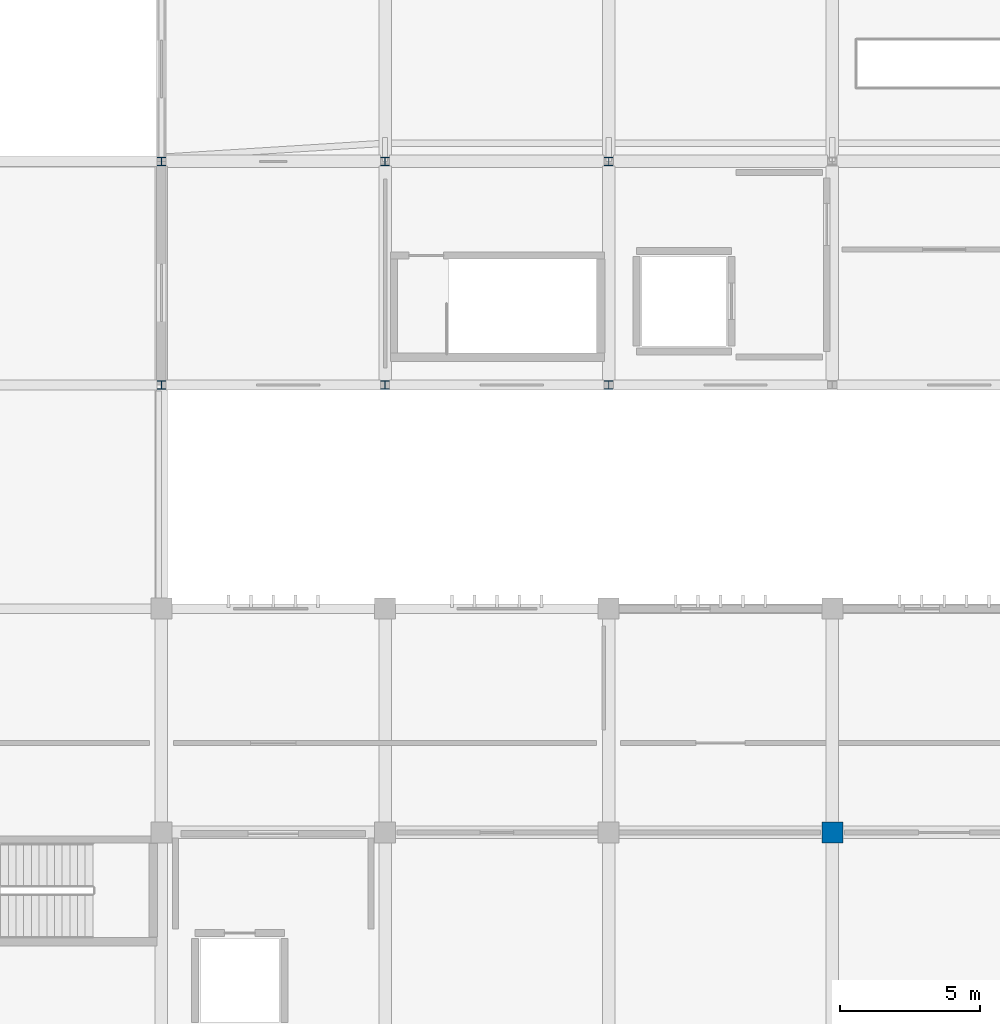
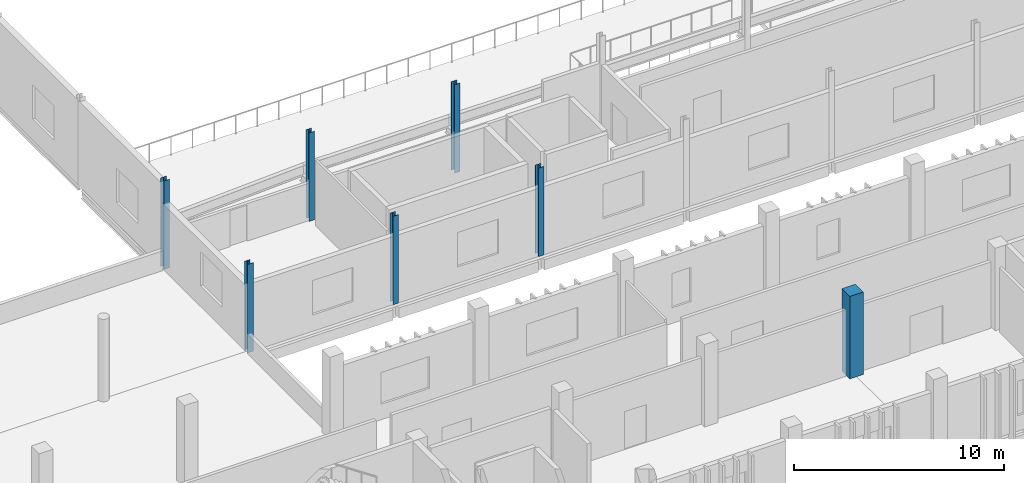
# One storey, part 7 of 106: 7 columns.
"""IFC4 building model written with IfcOpenShell, lengths in metres."""

from ifc_helpers import new_model, si_unit, direction, frame, origin, origin_2d, place, context, subcontext, project, spatial, rectangle, i_section, extrude, material, material_profile, profile_set, type_object, element, save


model = new_model("IFC4")

# Units and contexts
model_context = context("Model", 3, precision=1e-05, world=origin(), true_north=direction((0.0, 1.0)))
body_context = subcontext(model_context, "Body", "Model", "MODEL_VIEW")
ifc_project = project(units=[si_unit("LENGTHUNIT", "METRE"), si_unit("AREAUNIT", "SQUARE_METRE"), si_unit("VOLUMEUNIT", "CUBIC_METRE"), si_unit("PLANEANGLEUNIT", "RADIAN"), si_unit("MASSUNIT", "GRAM", prefix="KILO")], contexts=[model_context])

# Site, building, storey
site_placement = place(None, origin())
site = spatial("IfcSite", under=ifc_project, at=site_placement, CompositionType="ELEMENT")
building_placement = place(site_placement, origin())
building = spatial("IfcBuilding", under=site, at=building_placement, Name="Jelvoka-Kovrelna Polytechnic", CompositionType="ELEMENT")
storey_placement = place(building_placement, frame((0.0, 0.0, 4.800048828125)))
storey = spatial("IfcBuildingStorey", under=building, at=storey_placement, Name="L02", CompositionType="ELEMENT", Elevation=4.800048828125)

# Columns
ifc_material_1 = material(Name="Concrete C40/50", Category="concrete")
ifc_material_profile_1 = material_profile(ifc_material_1, rectangle(XDim=0.75, YDim=0.75, at=origin_2d()), Name="RC 750x750")
ifc_profile_set_1 = profile_set([ifc_material_profile_1], Name="Concrete C40/50")
column_type_1 = type_object("IfcColumnType", Name="Col_RC_750", PredefinedType="COLUMN", material=ifc_profile_set_1)
column_placement = place(storey_placement, frame((112.0, 64.0, 0.0), z_axis=(0.0, 0.0, 1.0), x_axis=(1.0, 0.0, 0.0)))
element("IfcColumn", 1, at=column_placement, inside=storey, type_object=column_type_1, Name="L02 column 1206", PredefinedType="COLUMN", context=body_context, shape_type="SweptSolid", body=[
    extrude(rectangle(XDim=0.75, YDim=0.75, at=origin_2d()), origin(), (0.0, 0.0, 1.0), 4.800048828125),
])
ifc_material_2 = material(Name="Structural steel S355JR", Category="steel")
ifc_material_profile_2 = material_profile(ifc_material_2, i_section(OverallWidth=0.305419921875, OverallDepth=0.307861328125, WebThickness=0.010009765625, FlangeThickness=0.015380859375, FilletRadius=0.01513671875, at=origin_2d()), Name="305x305x97 UC")
ifc_profile_set_2 = profile_set([ifc_material_profile_2], Name="Structural steel S355JR")
column_type_2 = type_object("IfcColumnType", Name="Col_Steel_UC305", PredefinedType="COLUMN", material=ifc_profile_set_2)
for number, where, z_axis, x_axis, name in (
    (2, (88.0, 80.0, 0.0), (0.0, 0.0, 1.0), (1.0, 0.0, 0.0), "L02 column 1478"),
    (3, (96.0, 80.0, 0.0), (0.0, 0.0, 1.0), (1.0, 0.0, 0.0), "L02 column 1481"),
    (4, (104.0, 80.0, 0.0), (0.0, 0.0, 1.0), (1.0, 0.0, 0.0), "L02 column 1484"),
    (5, (88.0, 88.0, 0.0), (0.0, 0.0, 1.0), (1.0, 0.0, 0.0), "L02 column 1533"),
    (6, (96.0, 88.0, 0.0), (0.0, 0.0, 1.0), (1.0, 0.0, 0.0), "L02 column 1536"),
    (7, (104.0, 88.0, 0.0), (0.0, 0.0, 1.0), (1.0, 0.0, 0.0), "L02 column 1539"),
):
    element("IfcColumn", number, at=place(storey_placement, frame(where, z_axis=z_axis, x_axis=x_axis)), inside=storey, type_object=column_type_2, Name=name, PredefinedType="COLUMN", context=body_context, shape_type="SweptSolid", body=[
        extrude(i_section(OverallWidth=0.305419921875, OverallDepth=0.307861328125, WebThickness=0.010009765625, FlangeThickness=0.015380859375, FilletRadius=0.01513671875, at=origin_2d()), origin(), (0.0, 0.0, 1.0), 5.14990234375),
    ])

save(model, "model.ifc")
